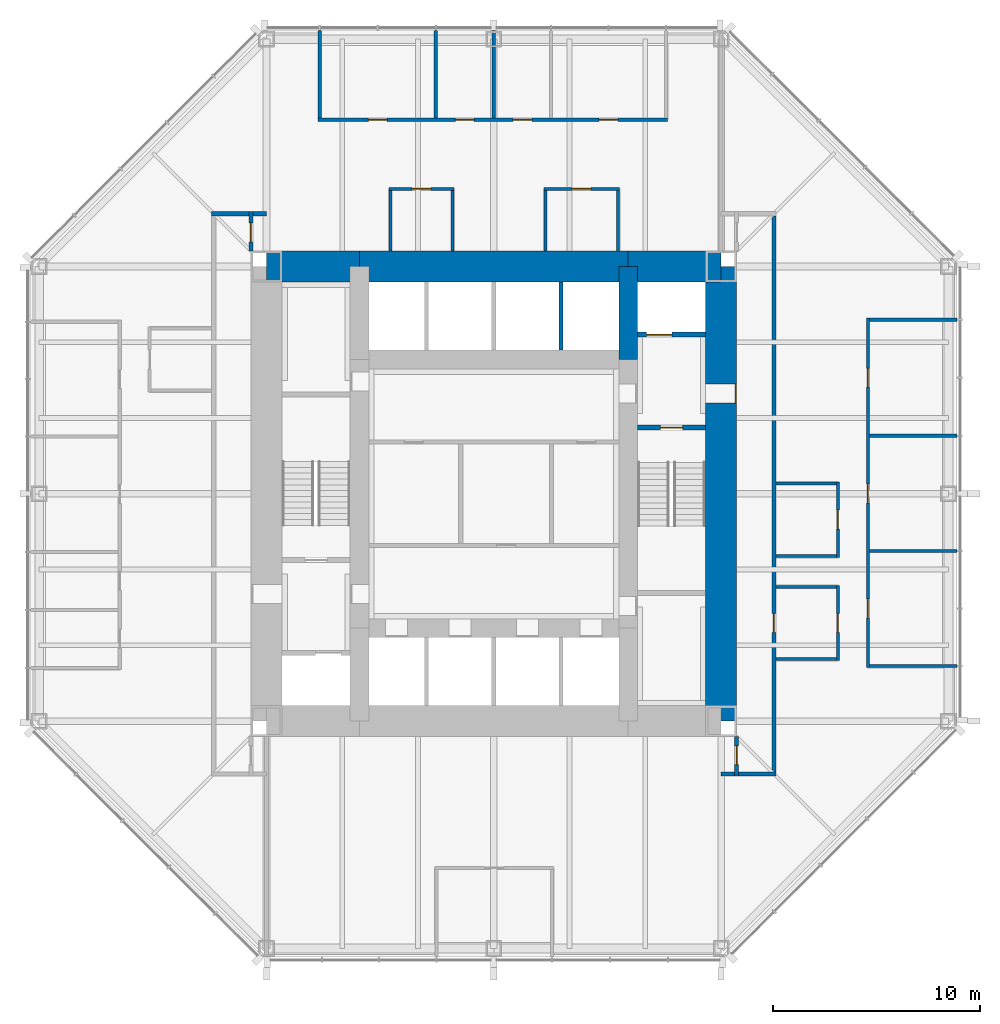
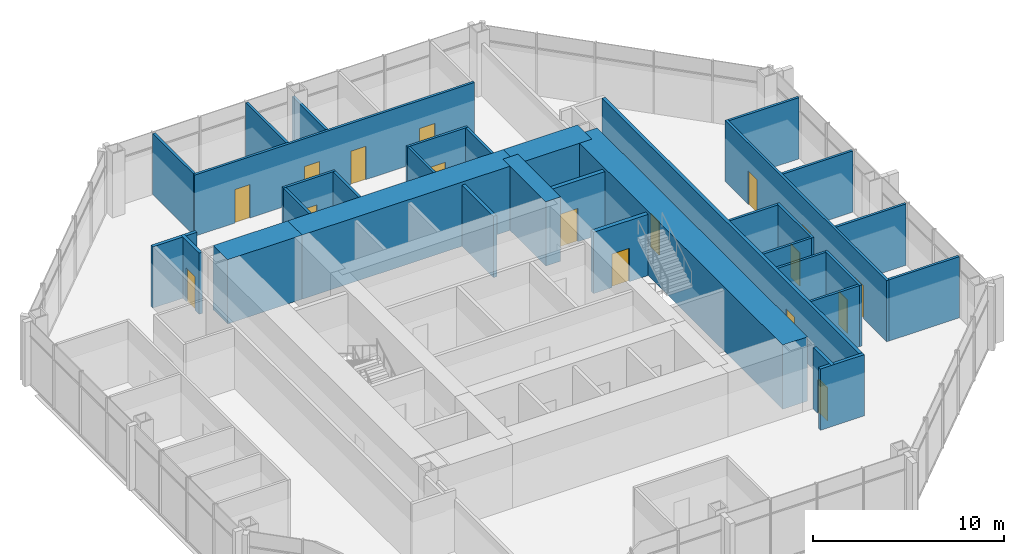
# One storey, part 10 of 12: 34 walls, 17 doors, 17 openings.
"""IFC4 building model written with IfcOpenShell, lengths in metres."""

from ifc_helpers import new_model, si_unit, direction, frame, frame_2d, origin, place, context, subcontext, project, spatial, rectangle, extrude, material, layer, layer_set, type_object, element, fill, save


model = new_model("IFC4")

# Units and contexts
model_context = context("Model", 3, precision=1e-05, world=origin(), true_north=direction((0.0, 1.0)))
body_context = subcontext(model_context, "Body", "Model", "MODEL_VIEW")
ifc_project = project(units=[si_unit("LENGTHUNIT", "METRE"), si_unit("AREAUNIT", "SQUARE_METRE"), si_unit("VOLUMEUNIT", "CUBIC_METRE"), si_unit("PLANEANGLEUNIT", "RADIAN"), si_unit("MASSUNIT", "GRAM", prefix="KILO")], contexts=[model_context])

# Site, building, storey
site_placement = place(None, origin())
site = spatial("IfcSite", under=ifc_project, at=site_placement, CompositionType="ELEMENT")
building_placement = place(site_placement, origin())
building = spatial("IfcBuilding", under=site, at=building_placement, Name="Trevanion Tower", CompositionType="ELEMENT")
storey_placement = place(building_placement, frame((0.0, 0.0, 129.5)))
storey = spatial("IfcBuildingStorey", under=building, at=storey_placement, Name="L30", CompositionType="ELEMENT", Elevation=129.5)

# Wall, opening, door
ifc_material_1 = material(Name="Concrete 10,000 psi", Category="concrete")
ifc_layer_1 = layer(ifc_material_1, 1.5)
ifc_layer_set_1 = layer_set([ifc_layer_1], Name="CW1 core wall 1500")
wall_type_1 = type_object("IfcWallType", Name="CW1 core wall 1500", PredefinedType="SHEAR", material=ifc_layer_set_1)
wall_1_placement = place(storey_placement, frame((11.0, -11.0, 0.0), z_axis=(0.0, 0.0, 1.0), x_axis=(0.0, 1.0, 0.0)))
wall_1 = element("IfcWall", 1, at=wall_1_placement, inside=storey, type_object=wall_type_1, Name="CW1 CE L30", PredefinedType="SHEAR", context=body_context, shape_type="SweptSolid", body=[
    extrude(rectangle(XDim=22.0, YDim=1.5, at=frame_2d((11.0, 0.0))), origin(), (0.0, 0.0, 1.0), 4.10009765625),
])
opening_1_placement = place(wall_1_placement, frame((15.392578125, 0.0, 0.0)))
opening_1 = element("IfcOpeningElement", 2, at=opening_1_placement, cuts=wall_1, Name="Opening 30-001", PredefinedType="OPENING", context=body_context, shape_type="SweptSolid", body=[
    extrude(rectangle(XDim=0.9150390625, YDim=2.134033203125, at=frame_2d((0.45751953125, 1.06689453125))), frame((0.0, 0.760009765625, 0.0), z_axis=(0.0, -1.0, 0.0), x_axis=(1.0, 0.0, 0.0)), (0.0, 0.0, 1.0), 1.52001953125),
])
ifc_material_2 = material(Name="Hollow metal, fire rated", Category="steel")
door_type_1 = type_object("IfcDoorType", Name="D3 fire lift lobby door", OperationType="SINGLE_SWING_RIGHT", PredefinedType="DOOR", material=ifc_material_2)
door_1_placement = place(opening_1_placement, origin())
door_1 = element("IfcDoor", 3, at=door_1_placement, inside=storey, type_object=door_type_1, Name="Door 30-001", OperationType="SINGLE_SWING_RIGHT", OverallHeight=2.134033203125, OverallWidth=0.9150390625, PredefinedType="DOOR", context=body_context, shape_type="SweptSolid", body=[
    extrude(rectangle(XDim=0.9150390625, YDim=2.134033203125, at=frame_2d((0.45751953125, 1.06689453125))), frame((0.0, -0.6748046875, 0.0), z_axis=(0.0, -1.0, 0.0), x_axis=(1.0, 0.0, 0.0)), (0.0, 0.0, 1.0), 0.050048828125),
])
fill(opening_1, door_1)

# Walls
wall_2_placement = place(storey_placement, frame((11.0, 11.0, 0.0), z_axis=(0.0, 0.0, 1.0), x_axis=(-1.0, 0.0, 0.0)))
element("IfcWall", 4, at=wall_2_placement, inside=storey, type_object=wall_type_1, Name="CW1 CN1 L30", PredefinedType="SHEAR", context=body_context, shape_type="SweptSolid", body=[
    extrude(rectangle(XDim=4.5, YDim=1.5, at=frame_2d((2.25, 0.0))), origin(), (0.0, 0.0, 1.0), 4.10009765625),
])
wall_3_placement = place(storey_placement, frame((6.5, 11.0, 0.0), z_axis=(0.0, 0.0, 1.0), x_axis=(-1.0, 0.0, 0.0)))
element("IfcWall", 5, at=wall_3_placement, inside=storey, type_object=wall_type_1, Name="CW1 CN2 L30", PredefinedType="SHEAR", context=body_context, shape_type="SweptSolid", body=[
    extrude(rectangle(XDim=13.0, YDim=1.5, at=frame_2d((6.5, 0.0))), origin(), (0.0, 0.0, 1.0), 4.10009765625),
])
wall_4_placement = place(storey_placement, frame((-6.5, 11.0, 0.0), z_axis=(0.0, 0.0, 1.0), x_axis=(-1.0, 0.0, 0.0)))
element("IfcWall", 6, at=wall_4_placement, inside=storey, type_object=wall_type_1, Name="CW1 CN3 L30", PredefinedType="SHEAR", context=body_context, shape_type="SweptSolid", body=[
    extrude(rectangle(XDim=4.5, YDim=1.5, at=frame_2d((2.25, 0.0))), origin(), (0.0, 0.0, 1.0), 4.10009765625),
])
ifc_material_3 = material(Name="Concrete 10,000 psi", Category="concrete")
ifc_layer_2 = layer(ifc_material_3, 0.89990234375)
ifc_layer_set_2 = layer_set([ifc_layer_2], Name="CW2 core wall 900")
wall_type_2 = type_object("IfcWallType", Name="CW2 core wall 900", PredefinedType="SHEAR", material=ifc_layer_set_2)
wall_5_placement = place(storey_placement, frame((6.5, 6.5, 0.0), z_axis=(0.0, 0.0, 1.0), x_axis=(0.0, 1.0, 0.0)))
element("IfcWall", 7, at=wall_5_placement, inside=storey, type_object=wall_type_2, Name="CW2 RE3 L30", PredefinedType="SHEAR", context=body_context, shape_type="SweptSolid", body=[
    extrude(rectangle(XDim=4.5, YDim=0.89990234375, at=frame_2d((2.25, 0.0))), origin(), (0.0, 0.0, 1.0), 4.10009765625),
])

# Wall, openings, doors
ifc_material_4 = material(Name="Gypsum board on steel studs", Category="steel")
ifc_layer_3 = layer(ifc_material_4, 0.14990234375)
ifc_layer_set_3 = layer_set([ifc_layer_3], Name="PT1 partition 150")
wall_type_3 = type_object("IfcWallType", Name="PT1 partition 150", PredefinedType="PARTITIONING", material=ifc_layer_set_3)
wall_6_placement = place(storey_placement, frame((18.10009765625, -8.39794921875, 0.0), z_axis=(0.0, 0.0, 1.0), x_axis=(0.0, 1.0, 0.0)))
wall_6 = element("IfcWall", 8, at=wall_6_placement, inside=storey, type_object=wall_type_3, Name="PT1 L30 FC0F", PredefinedType="PARTITIONING", context=body_context, shape_type="SweptSolid", body=[
    extrude(rectangle(XDim=16.89404296875, YDim=0.14990234375, at=frame_2d((8.447021484375, 0.0))), origin(), (0.0, 0.0, 1.0), 3.909912109375),
])
opening_2_placement = place(wall_6_placement, frame((2.3916015625, 0.0, 0.0)))
opening_2 = element("IfcOpeningElement", 9, at=opening_2_placement, cuts=wall_6, Name="Opening 30-022", PredefinedType="OPENING", context=body_context, shape_type="SweptSolid", body=[
    extrude(rectangle(XDim=0.9150390625, YDim=2.134033203125, at=frame_2d((0.45751953125, 1.06689453125))), frame((0.0, 0.0849609375, 0.0), z_axis=(0.0, -1.0, 0.0), x_axis=(1.0, 0.0, 0.0)), (0.0, 0.0, 1.0), 0.169921875),
])
opening_3_placement = place(wall_6_placement, frame((7.95654296875, 0.0, 0.0)))
opening_3 = element("IfcOpeningElement", 10, at=opening_3_placement, cuts=wall_6, Name="Opening 30-023", PredefinedType="OPENING", context=body_context, shape_type="SweptSolid", body=[
    extrude(rectangle(XDim=0.9150390625, YDim=2.134033203125, at=frame_2d((0.45751953125, 1.06689453125))), frame((0.0, 0.0849609375, 0.0), z_axis=(0.0, -1.0, 0.0), x_axis=(1.0, 0.0, 0.0)), (0.0, 0.0, 1.0), 0.169921875),
])
opening_4_placement = place(wall_6_placement, frame((13.554443359375, 0.0, 0.0)))
opening_4 = element("IfcOpeningElement", 11, at=opening_4_placement, cuts=wall_6, Name="Opening 30-024", PredefinedType="OPENING", context=body_context, shape_type="SweptSolid", body=[
    extrude(rectangle(XDim=0.9150390625, YDim=2.134033203125, at=frame_2d((0.45751953125, 1.06689453125))), frame((0.0, 0.0849609375, 0.0), z_axis=(0.0, -1.0, 0.0), x_axis=(1.0, 0.0, 0.0)), (0.0, 0.0, 1.0), 0.169921875),
])
ifc_material_5 = material(Name="Timber veneer, solid core", Category="wood")
door_type_2 = type_object("IfcDoorType", Name="D1 office and meeting room door", OperationType="SINGLE_SWING_LEFT", PredefinedType="DOOR", material=ifc_material_5)
door_2_placement = place(opening_2_placement, origin())
door_2 = element("IfcDoor", 12, at=door_2_placement, inside=storey, type_object=door_type_2, Name="Door 30-022", OperationType="SINGLE_SWING_LEFT", OverallHeight=2.134033203125, OverallWidth=0.9150390625, PredefinedType="DOOR", context=body_context, shape_type="SweptSolid", body=[
    extrude(rectangle(XDim=0.9150390625, YDim=2.134033203125, at=frame_2d((0.45751953125, 1.06689453125))), frame((0.0, 0.02490234375, 0.0), z_axis=(0.0, -1.0, 0.0), x_axis=(1.0, 0.0, 0.0)), (0.0, 0.0, 1.0), 0.050048828125),
])
fill(opening_2, door_2)
door_3_placement = place(opening_3_placement, origin())
door_3 = element("IfcDoor", 13, at=door_3_placement, inside=storey, type_object=door_type_2, Name="Door 30-023", OperationType="SINGLE_SWING_LEFT", OverallHeight=2.134033203125, OverallWidth=0.9150390625, PredefinedType="DOOR", context=body_context, shape_type="SweptSolid", body=[
    extrude(rectangle(XDim=0.9150390625, YDim=2.134033203125, at=frame_2d((0.45751953125, 1.06689453125))), frame((0.0, 0.02490234375, 0.0), z_axis=(0.0, -1.0, 0.0), x_axis=(1.0, 0.0, 0.0)), (0.0, 0.0, 1.0), 0.050048828125),
])
fill(opening_3, door_3)
door_4_placement = place(opening_4_placement, origin())
door_4 = element("IfcDoor", 14, at=door_4_placement, inside=storey, type_object=door_type_2, Name="Door 30-024", OperationType="SINGLE_SWING_LEFT", OverallHeight=2.134033203125, OverallWidth=0.9150390625, PredefinedType="DOOR", context=body_context, shape_type="SweptSolid", body=[
    extrude(rectangle(XDim=0.9150390625, YDim=2.134033203125, at=frame_2d((0.45751953125, 1.06689453125))), frame((0.0, 0.02490234375, 0.0), z_axis=(0.0, -1.0, 0.0), x_axis=(1.0, 0.0, 0.0)), (0.0, 0.0, 1.0), 0.050048828125),
])
fill(opening_4, door_4)

# Walls
for number, where, z_axis, x_axis, name in (
    (15, (18.175048828125, -8.322998046875, 0.0), (0.0, 0.0, 1.0), (1.0, 0.0, 0.0), "PT1 L30 FC0S0"),
    (16, (18.175048828125, -2.77490234375, 0.0), (0.0, 0.0, 1.0), (1.0, 0.0, 0.0), "PT1 L30 FC0S2"),
    (17, (18.175048828125, 2.806884765625, 0.0), (0.0, 0.0, 1.0), (1.0, 0.0, 0.0), "PT1 L30 FC0S4"),
    (18, (18.175048828125, 8.4208984375, 0.0), (0.0, 0.0, 1.0), (1.0, 0.0, 0.0), "PT1 L30 FC0S6"),
):
    element("IfcWall", number, at=place(storey_placement, frame(where, z_axis=z_axis, x_axis=x_axis)), inside=storey, type_object=wall_type_3, Name=name, PredefinedType="PARTITIONING", context=body_context, shape_type="SweptSolid", body=[
        extrude(rectangle(XDim=4.239990234375, YDim=0.14990234375, at=frame_2d((2.1201171875, 0.0))), origin(), (0.0, 0.0, 1.0), 3.909912109375),
    ])

# Wall, openings, doors
wall_7_placement = place(storey_placement, frame((8.39794921875, 18.10009765625, 0.0), z_axis=(0.0, 0.0, 1.0), x_axis=(-1.0, 0.0, 0.0)))
wall_7 = element("IfcWall", 19, at=wall_7_placement, inside=storey, type_object=wall_type_3, Name="PT1 L30 FC1F", PredefinedType="PARTITIONING", context=body_context, shape_type="SweptSolid", body=[
    extrude(rectangle(XDim=16.89404296875, YDim=0.14990234375, at=frame_2d((8.447021484375, 0.0))), origin(), (0.0, 0.0, 1.0), 3.909912109375),
])
opening_5_placement = place(wall_7_placement, frame((2.3916015625, 0.0, 0.0)))
opening_5 = element("IfcOpeningElement", 20, at=opening_5_placement, cuts=wall_7, Name="Opening 30-025", PredefinedType="OPENING", context=body_context, shape_type="SweptSolid", body=[
    extrude(rectangle(XDim=0.9150390625, YDim=2.134033203125, at=frame_2d((0.45751953125, 1.06689453125))), frame((0.0, 0.0849609375, 0.0), z_axis=(0.0, -1.0, 0.0), x_axis=(1.0, 0.0, 0.0)), (0.0, 0.0, 1.0), 0.169921875),
])
opening_6_placement = place(wall_7_placement, frame((6.552978515625, 0.0, 0.0)))
opening_6 = element("IfcOpeningElement", 21, at=opening_6_placement, cuts=wall_7, Name="Opening 30-026", PredefinedType="OPENING", context=body_context, shape_type="SweptSolid", body=[
    extrude(rectangle(XDim=0.9150390625, YDim=2.134033203125, at=frame_2d((0.45751953125, 1.06689453125))), frame((0.0, 0.0849609375, 0.0), z_axis=(0.0, -1.0, 0.0), x_axis=(1.0, 0.0, 0.0)), (0.0, 0.0, 1.0), 0.169921875),
])
opening_7_placement = place(wall_7_placement, frame((9.343994140625, 0.0, 0.0)))
opening_7 = element("IfcOpeningElement", 22, at=opening_7_placement, cuts=wall_7, Name="Opening 30-027", PredefinedType="OPENING", context=body_context, shape_type="SweptSolid", body=[
    extrude(rectangle(XDim=0.9150390625, YDim=2.134033203125, at=frame_2d((0.45751953125, 1.06689453125))), frame((0.0, 0.0849609375, 0.0), z_axis=(0.0, -1.0, 0.0), x_axis=(1.0, 0.0, 0.0)), (0.0, 0.0, 1.0), 0.169921875),
])
opening_8_placement = place(wall_7_placement, frame((13.554443359375, 0.0, 0.0)))
opening_8 = element("IfcOpeningElement", 23, at=opening_8_placement, cuts=wall_7, Name="Opening 30-028", PredefinedType="OPENING", context=body_context, shape_type="SweptSolid", body=[
    extrude(rectangle(XDim=0.9150390625, YDim=2.134033203125, at=frame_2d((0.45751953125, 1.06689453125))), frame((0.0, 0.0849609375, 0.0), z_axis=(0.0, -1.0, 0.0), x_axis=(1.0, 0.0, 0.0)), (0.0, 0.0, 1.0), 0.169921875),
])
door_5_placement = place(opening_5_placement, origin())
door_5 = element("IfcDoor", 24, at=door_5_placement, inside=storey, type_object=door_type_2, Name="Door 30-025", OperationType="SINGLE_SWING_LEFT", OverallHeight=2.134033203125, OverallWidth=0.9150390625, PredefinedType="DOOR", context=body_context, shape_type="SweptSolid", body=[
    extrude(rectangle(XDim=0.9150390625, YDim=2.134033203125, at=frame_2d((0.45751953125, 1.06689453125))), frame((0.0, 0.02490234375, 0.0), z_axis=(0.0, -1.0, 0.0), x_axis=(1.0, 0.0, 0.0)), (0.0, 0.0, 1.0), 0.050048828125),
])
fill(opening_5, door_5)
door_6_placement = place(opening_6_placement, origin())
door_6 = element("IfcDoor", 25, at=door_6_placement, inside=storey, type_object=door_type_2, Name="Door 30-026", OperationType="SINGLE_SWING_LEFT", OverallHeight=2.134033203125, OverallWidth=0.9150390625, PredefinedType="DOOR", context=body_context, shape_type="SweptSolid", body=[
    extrude(rectangle(XDim=0.9150390625, YDim=2.134033203125, at=frame_2d((0.45751953125, 1.06689453125))), frame((0.0, 0.02490234375, 0.0), z_axis=(0.0, -1.0, 0.0), x_axis=(1.0, 0.0, 0.0)), (0.0, 0.0, 1.0), 0.050048828125),
])
fill(opening_6, door_6)
door_7_placement = place(opening_7_placement, origin())
door_7 = element("IfcDoor", 26, at=door_7_placement, inside=storey, type_object=door_type_2, Name="Door 30-027", OperationType="SINGLE_SWING_LEFT", OverallHeight=2.134033203125, OverallWidth=0.9150390625, PredefinedType="DOOR", context=body_context, shape_type="SweptSolid", body=[
    extrude(rectangle(XDim=0.9150390625, YDim=2.134033203125, at=frame_2d((0.45751953125, 1.06689453125))), frame((0.0, 0.02490234375, 0.0), z_axis=(0.0, -1.0, 0.0), x_axis=(1.0, 0.0, 0.0)), (0.0, 0.0, 1.0), 0.050048828125),
])
fill(opening_7, door_7)
door_8_placement = place(opening_8_placement, origin())
door_8 = element("IfcDoor", 27, at=door_8_placement, inside=storey, type_object=door_type_2, Name="Door 30-028", OperationType="SINGLE_SWING_LEFT", OverallHeight=2.134033203125, OverallWidth=0.9150390625, PredefinedType="DOOR", context=body_context, shape_type="SweptSolid", body=[
    extrude(rectangle(XDim=0.9150390625, YDim=2.134033203125, at=frame_2d((0.45751953125, 1.06689453125))), frame((0.0, 0.02490234375, 0.0), z_axis=(0.0, -1.0, 0.0), x_axis=(1.0, 0.0, 0.0)), (0.0, 0.0, 1.0), 0.050048828125),
])
fill(opening_8, door_8)

# Walls
wall_8_placement = place(storey_placement, frame((0.0, 18.175048828125, 0.0), z_axis=(0.0, 0.0, 1.0), x_axis=(0.0, 1.0, 0.0)))
element("IfcWall", 28, at=wall_8_placement, inside=storey, type_object=wall_type_3, Name="PT1 L30 FC1S3", PredefinedType="PARTITIONING", context=body_context, shape_type="SweptSolid", body=[
    extrude(rectangle(XDim=4.239990234375, YDim=0.14990234375, at=frame_2d((2.1201171875, 0.0))), origin(), (0.0, 0.0, 1.0), 3.32568359375),
])
for number, where, z_axis, x_axis, name in (
    (29, (-2.806884765625, 18.175048828125, 0.0), (0.0, 0.0, 1.0), (0.0, 1.0, 0.0), "PT1 L30 FC1S4"),
    (30, (-8.4208984375, 18.175048828125, 0.0), (0.0, 0.0, 1.0), (0.0, 1.0, 0.0), "PT1 L30 FC1S6"),
):
    element("IfcWall", number, at=place(storey_placement, frame(where, z_axis=z_axis, x_axis=x_axis)), inside=storey, type_object=wall_type_3, Name=name, PredefinedType="PARTITIONING", context=body_context, shape_type="SweptSolid", body=[
        extrude(rectangle(XDim=4.239990234375, YDim=0.14990234375, at=frame_2d((2.1201171875, 0.0))), origin(), (0.0, 0.0, 1.0), 3.909912109375),
    ])

# Wall, opening, door
wall_9_placement = place(storey_placement, frame((16.64990234375, -8.074951171875, 0.0), z_axis=(0.0, 0.0, 1.0), x_axis=(0.0, 1.0, 0.0)))
wall_9 = element("IfcWall", 31, at=wall_9_placement, inside=storey, type_object=wall_type_3, Name="PT1 L30 IN00F", PredefinedType="PARTITIONING", context=body_context, shape_type="SweptSolid", body=[
    extrude(rectangle(XDim=3.64990234375, YDim=0.14990234375, at=frame_2d((1.824951171875, 0.0))), origin(), (0.0, 0.0, 1.0), 3.909912109375),
])
opening_9_placement = place(wall_9_placement, frame((1.367431640625, 0.0, 0.0)))
opening_9 = element("IfcOpeningElement", 32, at=opening_9_placement, cuts=wall_9, Name="Opening 30-034", PredefinedType="OPENING", context=body_context, shape_type="SweptSolid", body=[
    extrude(rectangle(XDim=0.9150390625, YDim=2.134033203125, at=frame_2d((0.45751953125, 1.06689453125))), frame((0.0, 0.0849609375, 0.0), z_axis=(0.0, -1.0, 0.0), x_axis=(1.0, 0.0, 0.0)), (0.0, 0.0, 1.0), 0.169921875),
])
door_9_placement = place(opening_9_placement, origin())
door_9 = element("IfcDoor", 33, at=door_9_placement, inside=storey, type_object=door_type_2, Name="Door 30-034", OperationType="SINGLE_SWING_LEFT", OverallHeight=2.134033203125, OverallWidth=0.9150390625, PredefinedType="DOOR", context=body_context, shape_type="SweptSolid", body=[
    extrude(rectangle(XDim=0.9150390625, YDim=2.134033203125, at=frame_2d((0.45751953125, 1.06689453125))), frame((0.0, 0.02490234375, 0.0), z_axis=(0.0, -1.0, 0.0), x_axis=(1.0, 0.0, 0.0)), (0.0, 0.0, 1.0), 0.050048828125),
])
fill(opening_9, door_9)

# Walls
for number, where, z_axis, x_axis, name in (
    (34, (16.574951171875, -8.0, 0.0), (0.0, 0.0, 1.0), (-1.0, 0.0, 0.0), "PT1 L30 IN00S0"),
    (35, (16.574951171875, -4.5, 0.0), (0.0, 0.0, 1.0), (-1.0, 0.0, 0.0), "PT1 L30 IN00S1"),
):
    element("IfcWall", number, at=place(storey_placement, frame(where, z_axis=z_axis, x_axis=x_axis)), inside=storey, type_object=wall_type_3, Name=name, PredefinedType="PARTITIONING", context=body_context, shape_type="SweptSolid", body=[
        extrude(rectangle(XDim=2.925048828125, YDim=0.14990234375, at=frame_2d((1.46240234375, 0.0))), origin(), (0.0, 0.0, 1.0), 3.909912109375),
    ])

# Wall, opening, door
wall_10_placement = place(storey_placement, frame((16.64990234375, -3.074951171875, 0.0), z_axis=(0.0, 0.0, 1.0), x_axis=(0.0, 1.0, 0.0)))
wall_10 = element("IfcWall", 36, at=wall_10_placement, inside=storey, type_object=wall_type_3, Name="PT1 L30 IN01F", PredefinedType="PARTITIONING", context=body_context, shape_type="SweptSolid", body=[
    extrude(rectangle(XDim=3.64990234375, YDim=0.14990234375, at=frame_2d((1.824951171875, 0.0))), origin(), (0.0, 0.0, 1.0), 3.909912109375),
])
opening_10_placement = place(wall_10_placement, frame((1.367431640625, 0.0, 0.0)))
opening_10 = element("IfcOpeningElement", 37, at=opening_10_placement, cuts=wall_10, Name="Opening 30-036", PredefinedType="OPENING", context=body_context, shape_type="SweptSolid", body=[
    extrude(rectangle(XDim=0.9150390625, YDim=2.134033203125, at=frame_2d((0.45751953125, 1.06689453125))), frame((0.0, 0.0849609375, 0.0), z_axis=(0.0, -1.0, 0.0), x_axis=(1.0, 0.0, 0.0)), (0.0, 0.0, 1.0), 0.169921875),
])
door_10_placement = place(opening_10_placement, origin())
door_10 = element("IfcDoor", 38, at=door_10_placement, inside=storey, type_object=door_type_2, Name="Door 30-036", OperationType="SINGLE_SWING_LEFT", OverallHeight=2.134033203125, OverallWidth=0.9150390625, PredefinedType="DOOR", context=body_context, shape_type="SweptSolid", body=[
    extrude(rectangle(XDim=0.9150390625, YDim=2.134033203125, at=frame_2d((0.45751953125, 1.06689453125))), frame((0.0, 0.02490234375, 0.0), z_axis=(0.0, -1.0, 0.0), x_axis=(1.0, 0.0, 0.0)), (0.0, 0.0, 1.0), 0.050048828125),
])
fill(opening_10, door_10)

# Walls
for number, where, z_axis, x_axis, name in (
    (39, (16.574951171875, -3.0, 0.0), (0.0, 0.0, 1.0), (-1.0, 0.0, 0.0), "PT1 L30 IN01S0"),
    (40, (16.574951171875, 0.5, 0.0), (0.0, 0.0, 1.0), (-1.0, 0.0, 0.0), "PT1 L30 IN01S1"),
):
    element("IfcWall", number, at=place(storey_placement, frame(where, z_axis=z_axis, x_axis=x_axis)), inside=storey, type_object=wall_type_3, Name=name, PredefinedType="PARTITIONING", context=body_context, shape_type="SweptSolid", body=[
        extrude(rectangle(XDim=2.925048828125, YDim=0.14990234375, at=frame_2d((1.46240234375, 0.0))), origin(), (0.0, 0.0, 1.0), 3.909912109375),
    ])

# Wall, opening, door
wall_11_placement = place(storey_placement, frame((6.074951171875, 14.75, 0.0), z_axis=(0.0, 0.0, 1.0), x_axis=(-1.0, 0.0, 0.0)))
wall_11 = element("IfcWall", 41, at=wall_11_placement, inside=storey, type_object=wall_type_3, Name="PT1 L30 IN10F", PredefinedType="PARTITIONING", context=body_context, shape_type="SweptSolid", body=[
    extrude(rectangle(XDim=3.64990234375, YDim=0.14990234375, at=frame_2d((1.824951171875, 0.0))), origin(), (0.0, 0.0, 1.0), 3.909912109375),
])
opening_11_placement = place(wall_11_placement, frame((1.367431640625, 0.0, 0.0)))
opening_11 = element("IfcOpeningElement", 42, at=opening_11_placement, cuts=wall_11, Name="Opening 30-037", PredefinedType="OPENING", context=body_context, shape_type="SweptSolid", body=[
    extrude(rectangle(XDim=0.9150390625, YDim=2.134033203125, at=frame_2d((0.45751953125, 1.06689453125))), frame((0.0, 0.0849609375, 0.0), z_axis=(0.0, -1.0, 0.0), x_axis=(1.0, 0.0, 0.0)), (0.0, 0.0, 1.0), 0.169921875),
])
door_11_placement = place(opening_11_placement, origin())
door_11 = element("IfcDoor", 43, at=door_11_placement, inside=storey, type_object=door_type_2, Name="Door 30-037", OperationType="SINGLE_SWING_LEFT", OverallHeight=2.134033203125, OverallWidth=0.9150390625, PredefinedType="DOOR", context=body_context, shape_type="SweptSolid", body=[
    extrude(rectangle(XDim=0.9150390625, YDim=2.134033203125, at=frame_2d((0.45751953125, 1.06689453125))), frame((0.0, 0.02490234375, 0.0), z_axis=(0.0, -1.0, 0.0), x_axis=(1.0, 0.0, 0.0)), (0.0, 0.0, 1.0), 0.050048828125),
])
fill(opening_11, door_11)

# Walls
for number, where, z_axis, x_axis, name in (
    (44, (6.0, 14.675048828125, 0.0), (0.0, 0.0, 1.0), (0.0, -1.0, 0.0), "PT1 L30 IN10S0"),
    (45, (2.5, 14.675048828125, 0.0), (0.0, 0.0, 1.0), (0.0, -1.0, 0.0), "PT1 L30 IN10S1"),
):
    element("IfcWall", number, at=place(storey_placement, frame(where, z_axis=z_axis, x_axis=x_axis)), inside=storey, type_object=wall_type_3, Name=name, PredefinedType="PARTITIONING", context=body_context, shape_type="SweptSolid", body=[
        extrude(rectangle(XDim=2.925048828125, YDim=0.14990234375, at=frame_2d((1.46240234375, 0.0))), origin(), (0.0, 0.0, 1.0), 3.909912109375),
    ])

# Wall, opening, door
wall_12_placement = place(storey_placement, frame((-1.925048828125, 14.75, 0.0), z_axis=(0.0, 0.0, 1.0), x_axis=(-1.0, 0.0, 0.0)))
wall_12 = element("IfcWall", 46, at=wall_12_placement, inside=storey, type_object=wall_type_3, Name="PT1 L30 IN11F", PredefinedType="PARTITIONING", context=body_context, shape_type="SweptSolid", body=[
    extrude(rectangle(XDim=3.14990234375, YDim=0.14990234375, at=frame_2d((1.574951171875, 0.0))), origin(), (0.0, 0.0, 1.0), 3.909912109375),
])
opening_12_placement = place(wall_12_placement, frame((1.117431640625, 0.0, 0.0)))
opening_12 = element("IfcOpeningElement", 47, at=opening_12_placement, cuts=wall_12, Name="Opening 30-038", PredefinedType="OPENING", context=body_context, shape_type="SweptSolid", body=[
    extrude(rectangle(XDim=0.9150390625, YDim=2.134033203125, at=frame_2d((0.45751953125, 1.06689453125))), frame((0.0, 0.0849609375, 0.0), z_axis=(0.0, -1.0, 0.0), x_axis=(1.0, 0.0, 0.0)), (0.0, 0.0, 1.0), 0.169921875),
])
door_12_placement = place(opening_12_placement, origin())
door_12 = element("IfcDoor", 48, at=door_12_placement, inside=storey, type_object=door_type_2, Name="Door 30-038", OperationType="SINGLE_SWING_LEFT", OverallHeight=2.134033203125, OverallWidth=0.9150390625, PredefinedType="DOOR", context=body_context, shape_type="SweptSolid", body=[
    extrude(rectangle(XDim=0.9150390625, YDim=2.134033203125, at=frame_2d((0.45751953125, 1.06689453125))), frame((0.0, 0.02490234375, 0.0), z_axis=(0.0, -1.0, 0.0), x_axis=(1.0, 0.0, 0.0)), (0.0, 0.0, 1.0), 0.050048828125),
])
fill(opening_12, door_12)

# Walls
for number, where, z_axis, x_axis, name in (
    (49, (-2.0, 14.675048828125, 0.0), (0.0, 0.0, 1.0), (0.0, -1.0, 0.0), "PT1 L30 IN11S0"),
    (50, (-5.0, 14.675048828125, 0.0), (0.0, 0.0, 1.0), (0.0, -1.0, 0.0), "PT1 L30 IN11S1"),
):
    element("IfcWall", number, at=place(storey_placement, frame(where, z_axis=z_axis, x_axis=x_axis)), inside=storey, type_object=wall_type_3, Name=name, PredefinedType="PARTITIONING", context=body_context, shape_type="SweptSolid", body=[
        extrude(rectangle(XDim=2.925048828125, YDim=0.14990234375, at=frame_2d((1.46240234375, 0.0))), origin(), (0.0, 0.0, 1.0), 3.909912109375),
    ])

# Wall, opening, door
ifc_material_6 = material(Name="Concrete masonry, grouted", Category="masonry")
ifc_layer_4 = layer(ifc_material_6, 0.199951171875)
ifc_layer_set_4 = layer_set([ifc_layer_4], Name="PT2 partition 200 1 HR")
wall_type_4 = type_object("IfcWallType", Name="PT2 partition 200 1 HR", PredefinedType="PARTITIONING", material=ifc_layer_set_4)
wall_13_placement = place(storey_placement, frame((13.550048828125, -13.64990234375, 0.0), z_axis=(0.0, 0.0, 1.0), x_axis=(0.0, 1.0, 0.0)))
wall_13 = element("IfcWall", 51, at=wall_13_placement, inside=storey, type_object=wall_type_4, Name="PT2 L30 OC0", PredefinedType="PARTITIONING", context=body_context, shape_type="SweptSolid", body=[
    extrude(rectangle(XDim=27.099853515625, YDim=0.199951171875, at=frame_2d((13.5498046875, 0.0))), origin(), (0.0, 0.0, 1.0), 3.909912109375),
])
opening_13_placement = place(wall_13_placement, frame((6.9423828125, 0.0, 0.0)))
opening_13 = element("IfcOpeningElement", 52, at=opening_13_placement, cuts=wall_13, Name="Opening 30-035", PredefinedType="OPENING", context=body_context, shape_type="SweptSolid", body=[
    extrude(rectangle(XDim=0.9150390625, YDim=2.134033203125, at=frame_2d((0.45751953125, 1.06689453125))), frame((0.0, 0.10986328125, 0.0), z_axis=(0.0, -1.0, 0.0), x_axis=(1.0, 0.0, 0.0)), (0.0, 0.0, 1.0), 0.219970703125),
])
ifc_material_7 = material(Name="Timber veneer, fire rated", Category="wood")
door_type_3 = type_object("IfcDoorType", Name="D10 office door in a one hour wall", OperationType="SINGLE_SWING_LEFT", PredefinedType="DOOR", material=ifc_material_7)
door_13_placement = place(opening_13_placement, origin())
door_13 = element("IfcDoor", 53, at=door_13_placement, inside=storey, type_object=door_type_3, Name="Door 30-035", OperationType="SINGLE_SWING_LEFT", OverallHeight=2.134033203125, OverallWidth=0.9150390625, PredefinedType="DOOR", context=body_context, shape_type="SweptSolid", body=[
    extrude(rectangle(XDim=0.9150390625, YDim=2.134033203125, at=frame_2d((0.45751953125, 1.06689453125))), frame((0.0, 0.02490234375, 0.0), z_axis=(0.0, -1.0, 0.0), x_axis=(1.0, 0.0, 0.0)), (0.0, 0.0, 1.0), 0.050048828125),
])
fill(opening_13, door_13)

wall_14_placement = place(storey_placement, frame((-11.75, 11.75, 0.0), z_axis=(0.0, 0.0, 1.0), x_axis=(0.0, 1.0, 0.0)))
wall_14 = element("IfcWall", 54, at=wall_14_placement, inside=storey, type_object=wall_type_4, Name="PT2 L30 OUNW1", PredefinedType="PARTITIONING", context=body_context, shape_type="SweptSolid", body=[
    extrude(rectangle(XDim=1.89990234375, YDim=0.199951171875, at=frame_2d((0.949951171875, 0.0))), origin(), (0.0, 0.0, 1.0), 3.909912109375),
])
opening_14_placement = place(wall_14_placement, frame((0.4423828125, 0.0, 0.0)))
opening_14 = element("IfcOpeningElement", 55, at=opening_14_placement, cuts=wall_14, Name="Opening 30-019", PredefinedType="OPENING", context=body_context, shape_type="SweptSolid", body=[
    extrude(rectangle(XDim=0.9150390625, YDim=2.134033203125, at=frame_2d((0.45751953125, 1.06689453125))), frame((0.0, 0.10986328125, 0.0), z_axis=(0.0, -1.0, 0.0), x_axis=(1.0, 0.0, 0.0)), (0.0, 0.0, 1.0), 0.219970703125),
])
door_14_placement = place(opening_14_placement, origin())
door_14 = element("IfcDoor", 56, at=door_14_placement, inside=storey, type_object=door_type_3, Name="Door 30-019", OperationType="SINGLE_SWING_LEFT", OverallHeight=2.134033203125, OverallWidth=0.9150390625, PredefinedType="DOOR", context=body_context, shape_type="SweptSolid", body=[
    extrude(rectangle(XDim=0.9150390625, YDim=2.134033203125, at=frame_2d((0.45751953125, 1.06689453125))), frame((0.0, 0.02490234375, 0.0), z_axis=(0.0, -1.0, 0.0), x_axis=(1.0, 0.0, 0.0)), (0.0, 0.0, 1.0), 0.050048828125),
])
fill(opening_14, door_14)

# Wall
wall_15_placement = place(storey_placement, frame((-11.0, 13.550048828125, 0.0), z_axis=(0.0, 0.0, 1.0), x_axis=(-1.0, 0.0, 0.0)))
element("IfcWall", 57, at=wall_15_placement, inside=storey, type_object=wall_type_4, Name="PT2 L30 OUNW2", PredefinedType="PARTITIONING", context=body_context, shape_type="SweptSolid", body=[
    extrude(rectangle(XDim=2.64990234375, YDim=0.199951171875, at=frame_2d((1.324951171875, 0.0))), origin(), (0.0, 0.0, 1.0), 3.909912109375),
])

# Wall, opening, door
wall_16_placement = place(storey_placement, frame((11.75, -11.75, 0.0), z_axis=(0.0, 0.0, 1.0), x_axis=(0.0, -1.0, 0.0)))
wall_16 = element("IfcWall", 58, at=wall_16_placement, inside=storey, type_object=wall_type_4, Name="PT2 L30 OUSE1", PredefinedType="PARTITIONING", context=body_context, shape_type="SweptSolid", body=[
    extrude(rectangle(XDim=1.89990234375, YDim=0.199951171875, at=frame_2d((0.949951171875, 0.0))), origin(), (0.0, 0.0, 1.0), 3.909912109375),
])
opening_15_placement = place(wall_16_placement, frame((0.4423828125, 0.0, 0.0)))
opening_15 = element("IfcOpeningElement", 59, at=opening_15_placement, cuts=wall_16, Name="Opening 30-020", PredefinedType="OPENING", context=body_context, shape_type="SweptSolid", body=[
    extrude(rectangle(XDim=0.9150390625, YDim=2.134033203125, at=frame_2d((0.45751953125, 1.06689453125))), frame((0.0, 0.10986328125, 0.0), z_axis=(0.0, -1.0, 0.0), x_axis=(1.0, 0.0, 0.0)), (0.0, 0.0, 1.0), 0.219970703125),
])
door_15_placement = place(opening_15_placement, origin())
door_15 = element("IfcDoor", 60, at=door_15_placement, inside=storey, type_object=door_type_3, Name="Door 30-020", OperationType="SINGLE_SWING_LEFT", OverallHeight=2.134033203125, OverallWidth=0.9150390625, PredefinedType="DOOR", context=body_context, shape_type="SweptSolid", body=[
    extrude(rectangle(XDim=0.9150390625, YDim=2.134033203125, at=frame_2d((0.45751953125, 1.06689453125))), frame((0.0, 0.02490234375, 0.0), z_axis=(0.0, -1.0, 0.0), x_axis=(1.0, 0.0, 0.0)), (0.0, 0.0, 1.0), 0.050048828125),
])
fill(opening_15, door_15)

# Walls
wall_17_placement = place(storey_placement, frame((11.0, -13.550048828125, 0.0), z_axis=(0.0, 0.0, 1.0), x_axis=(1.0, 0.0, 0.0)))
element("IfcWall", 61, at=wall_17_placement, inside=storey, type_object=wall_type_4, Name="PT2 L30 OUSE2", PredefinedType="PARTITIONING", context=body_context, shape_type="SweptSolid", body=[
    extrude(rectangle(XDim=2.64990234375, YDim=0.199951171875, at=frame_2d((1.324951171875, 0.0))), origin(), (0.0, 0.0, 1.0), 3.909912109375),
])
ifc_material_8 = material(Name="Concrete masonry, grouted", Category="masonry")
ifc_layer_5 = layer(ifc_material_8, 0.199951171875)
ifc_layer_set_5 = layer_set([ifc_layer_5], Name="PT2 partition 200 2 HR")
wall_type_5 = type_object("IfcWallType", Name="PT2 partition 200 2 HR", PredefinedType="PARTITIONING", material=ifc_layer_set_5)
wall_18_placement = place(storey_placement, frame((3.25, 6.949951171875, 0.0), z_axis=(0.0, 0.0, 1.0), x_axis=(0.0, 1.0, 0.0)))
element("IfcWall", 62, at=wall_18_placement, inside=storey, type_object=wall_type_5, Name="PT2 L30 NS2", PredefinedType="PARTITIONING", context=body_context, shape_type="SweptSolid", body=[
    extrude(rectangle(XDim=3.300048828125, YDim=0.199951171875, at=frame_2d((1.64990234375, 0.0))), origin(), (0.0, 0.0, 1.0), 3.909912109375),
])

# Wall, opening, door
ifc_material_9 = material(Name="Concrete masonry, grouted, two-hour", Category="masonry")
ifc_layer_6 = layer(ifc_material_9, 0.25)
ifc_layer_set_6 = layer_set([ifc_layer_6], Name="PT3 partition 250 2 HR")
wall_type_6 = type_object("IfcWallType", Name="PT3 partition 250 2 HR", PredefinedType="PARTITIONING", material=ifc_layer_set_6)
wall_19_placement = place(storey_placement, frame((6.949951171875, 7.699951171875, 0.0), z_axis=(0.0, 0.0, 1.0), x_axis=(1.0, 0.0, 0.0)))
wall_19 = element("IfcWall", 63, at=wall_19_placement, inside=storey, type_object=wall_type_6, Name="PT3 L30 EP3", PredefinedType="PARTITIONING", context=body_context, shape_type="SweptSolid", body=[
    extrude(rectangle(XDim=3.300048828125, YDim=0.25, at=frame_2d((1.64990234375, 0.0))), origin(), (0.0, 0.0, 1.0), 3.909912109375),
])
opening_16_placement = place(wall_19_placement, frame((0.449951171875, 0.0, 0.0)))
opening_16 = element("IfcOpeningElement", 64, at=opening_16_placement, cuts=wall_19, Name="Opening 30-007", PredefinedType="OPENING", context=body_context, shape_type="SweptSolid", body=[
    extrude(rectangle(XDim=1.218994140625, YDim=2.134033203125, at=frame_2d((0.609375, 1.06689453125))), frame((0.0, 0.135009765625, 0.0), z_axis=(0.0, -1.0, 0.0), x_axis=(1.0, 0.0, 0.0)), (0.0, 0.0, 1.0), 0.27001953125),
])
ifc_material_10 = material(Name="Stainless steel, fire rated", Category="steel")
door_type_4 = type_object("IfcDoorType", Name="LD2 fire service lift landing door", OperationType="SLIDING_TO_LEFT", PredefinedType="DOOR", material=ifc_material_10)
door_16_placement = place(opening_16_placement, origin())
door_16 = element("IfcDoor", 65, at=door_16_placement, inside=storey, type_object=door_type_4, Name="Door 30-007", OperationType="SLIDING_TO_LEFT", OverallHeight=2.134033203125, OverallWidth=1.218994140625, PredefinedType="DOOR", context=body_context, shape_type="SweptSolid", body=[
    extrude(rectangle(XDim=1.218994140625, YDim=2.134033203125, at=frame_2d((0.609375, 1.06689453125))), frame((0.0, 0.02490234375, 0.0), z_axis=(0.0, -1.0, 0.0), x_axis=(1.0, 0.0, 0.0)), (0.0, 0.0, 1.0), 0.050048828125),
])
fill(opening_16, door_16)

ifc_material_11 = material(Name="Reinforced masonry, fully grouted", Category="masonry")
ifc_layer_7 = layer(ifc_material_11, 0.25)
ifc_layer_set_7 = layer_set([ifc_layer_7], Name="SW1 stair shaft wall 250")
wall_type_7 = type_object("IfcWallType", Name="SW1 stair shaft wall 250", PredefinedType="SOLIDWALL", material=ifc_layer_set_7)
wall_20_placement = place(storey_placement, frame((6.949951171875, 3.199951171875, 0.0), z_axis=(0.0, 0.0, 1.0), x_axis=(1.0, 0.0, 0.0)))
wall_20 = element("IfcWall", 66, at=wall_20_placement, inside=storey, type_object=wall_type_7, Name="SW1 L30 EP2", PredefinedType="SOLIDWALL", context=body_context, shape_type="SweptSolid", body=[
    extrude(rectangle(XDim=3.300048828125, YDim=0.25, at=frame_2d((1.64990234375, 0.0))), origin(), (0.0, 0.0, 1.0), 3.909912109375),
])
opening_17_placement = place(wall_20_placement, frame((1.116455078125, 0.0, 0.0)))
opening_17 = element("IfcOpeningElement", 67, at=opening_17_placement, cuts=wall_20, Name="Opening 30-005", PredefinedType="OPENING", context=body_context, shape_type="SweptSolid", body=[
    extrude(rectangle(XDim=1.06689453125, YDim=2.134033203125, at=frame_2d((0.533447265625, 1.06689453125))), frame((0.0, 0.135009765625, 0.0), z_axis=(0.0, -1.0, 0.0), x_axis=(1.0, 0.0, 0.0)), (0.0, 0.0, 1.0), 0.27001953125),
])
ifc_material_12 = material(Name="Hollow metal, fire rated", Category="steel")
door_type_5 = type_object("IfcDoorType", Name="D2 exit stair door", OperationType="SINGLE_SWING_LEFT", PredefinedType="DOOR", material=ifc_material_12)
door_17_placement = place(opening_17_placement, origin())
door_17 = element("IfcDoor", 68, at=door_17_placement, inside=storey, type_object=door_type_5, Name="Door 30-005", OperationType="SINGLE_SWING_LEFT", OverallHeight=2.134033203125, OverallWidth=1.06689453125, PredefinedType="DOOR", context=body_context, shape_type="SweptSolid", body=[
    extrude(rectangle(XDim=1.06689453125, YDim=2.134033203125, at=frame_2d((0.533447265625, 1.06689453125))), frame((0.0, 0.02490234375, 0.0), z_axis=(0.0, -1.0, 0.0), x_axis=(1.0, 0.0, 0.0)), (0.0, 0.0, 1.0), 0.050048828125),
])
fill(opening_17, door_17)

save(model, "model.ifc")
